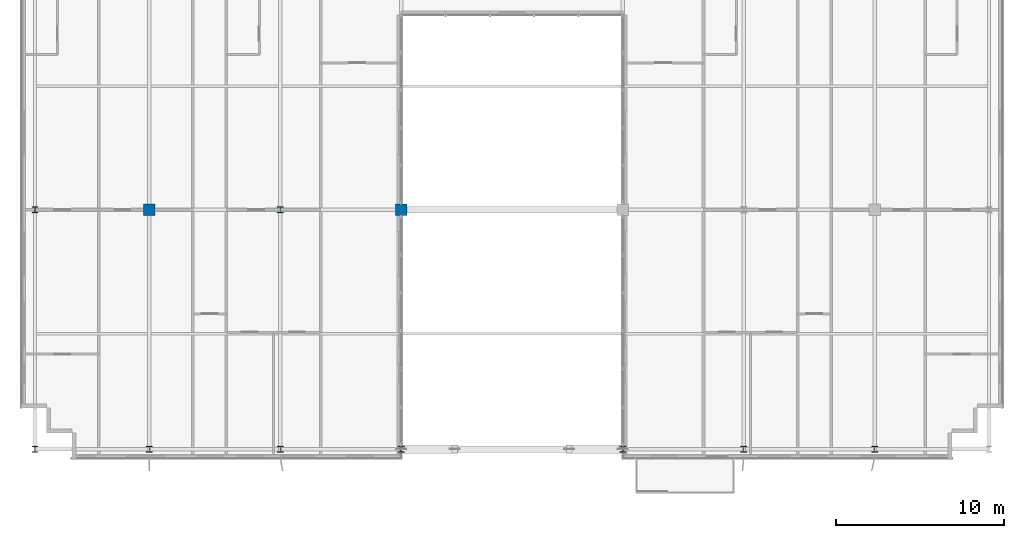
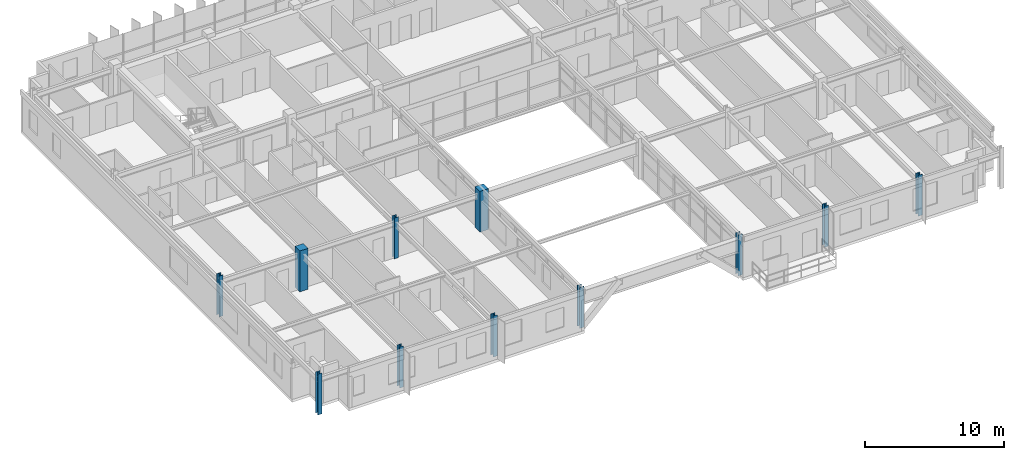
# One storey, part 1 of 37: 11 columns.
"""IFC4 building model written with IfcOpenShell, lengths in metres."""

import ifcopenshell
import ifcopenshell.guid

model = None  # the IFC model being written
_history = None  # IfcOwnerHistory: only IFC2X3 demands one
_inside = {}  # id of a spatial element -> (the spatial element, [elements in it])
_under = {}  # id of a project, library or spatial element -> (it, [spatial elements below it])
_declared = {}  # id of a project -> (the project, [libraries it declares])
_typed = {}  # id of a type object -> (the type object, [elements of that type])
_made_of = {}  # id of a material, layer set ... -> (it, [elements and type objects made of it])


def new_model(schema):
    """Start an empty IFC model of exactly this schema.

    Asked for "IFC4X3", IfcOpenShell would pick the latest addendum, in which some entities
    have other attributes; the version numbers below select the first issue.
    IFC2X3 requires an IfcOwnerHistory on every rooted entity: one is made here for all.
    """
    global model, _history
    if schema == "IFC4X3":
        model = ifcopenshell.file(schema_version=(4, 3, 0, 0))
    else:
        model = ifcopenshell.file(schema=schema)
    _inside.clear()
    _under.clear()
    _declared.clear()
    _typed.clear()
    _made_of.clear()
    _history = None
    if model.schema == "IFC2X3":
        org = make("IfcOrganization", Name="unknown")
        user = make(
            "IfcPersonAndOrganization",
            ThePerson=make("IfcPerson", FamilyName="unknown"),
            TheOrganization=org,
        )
        app = make(
            "IfcApplication",
            ApplicationDeveloper=org,
            Version="unknown",
            ApplicationFullName="unknown",
            ApplicationIdentifier="unknown",
        )
        _history = make(
            "IfcOwnerHistory",
            OwningUser=user,
            OwningApplication=app,
            ChangeAction="ADDED",
            CreationDate=0,
        )
    return model


def make(cls, **values):
    """One entity of the class cls with the attributes given. An attribute that is None is left unset."""
    return model.create_entity(
        cls, **{name: value for name, value in values.items() if value is not None}
    )


def rooted(cls, **values):
    """An entity with a GlobalId (a new one), such as an element, a storey or a relation."""
    return make(cls, GlobalId=ifcopenshell.guid.new(), OwnerHistory=_history, **values)


def si_unit(unit_type, name, prefix=None):
    """IfcSIUnit, for example si_unit("LENGTHUNIT", "METRE", prefix="MILLI")."""
    return make("IfcSIUnit", UnitType=unit_type, Prefix=prefix, Name=name)


def assignment(units):
    """IfcUnitAssignment: the units of a project."""
    return None if units is None else make("IfcUnitAssignment", Units=units)


def point(xyz):
    """IfcCartesianPoint."""
    return None if xyz is None else make("IfcCartesianPoint", Coordinates=xyz)


def direction(xyz):
    """IfcDirection."""
    return None if xyz is None else make("IfcDirection", DirectionRatios=xyz)


def frame(location, z_axis=None, x_axis=None):
    """IfcAxis2Placement3D, a coordinate frame: its origin and axes. An axis left out is left unset."""
    return make(
        "IfcAxis2Placement3D",
        Location=point(location),
        Axis=direction(z_axis),
        RefDirection=direction(x_axis),
    )


def frame_2d(location, x_axis=None):
    """IfcAxis2Placement2D, a coordinate frame in the plane: its origin and x axis."""
    return make(
        "IfcAxis2Placement2D", Location=point(location), RefDirection=direction(x_axis)
    )


def origin():
    """The frame at (0, 0, 0) with its axes left unset."""
    return frame((0.0, 0.0, 0.0))


def origin_2d():
    """The frame at (0, 0) in the plane with its x axis left unset."""
    return frame_2d((0.0, 0.0))


def place(relative_to, where):
    """IfcLocalPlacement: puts the frame where relative to a parent placement (None: the world)."""
    return make(
        "IfcLocalPlacement", PlacementRelTo=relative_to, RelativePlacement=where
    )


def context(
    kind, dimensions, precision=None, world=None, true_north=None, identifier=None
):
    """IfcGeometricRepresentationContext, for example the 3D "Model" context."""
    return make(
        "IfcGeometricRepresentationContext",
        ContextIdentifier=identifier,
        ContextType=kind,
        CoordinateSpaceDimension=dimensions,
        Precision=precision,
        WorldCoordinateSystem=world,
        TrueNorth=true_north,
    )


def subcontext(parent, identifier, kind, view, scale=None):
    """IfcGeometricRepresentationSubContext, for example "Body" below "Model"."""
    return make(
        "IfcGeometricRepresentationSubContext",
        ContextIdentifier=identifier,
        ContextType=kind,
        ParentContext=parent,
        TargetScale=scale,
        TargetView=view,
    )


def project(units=None, contexts=None):
    """IfcProject with its units and contexts."""
    return rooted(
        "IfcProject",
        Name="project",
        RepresentationContexts=contexts,
        UnitsInContext=assignment(units),
    )


def spatial(cls, under=None, at=None, **own):
    """A site, building, storey or space (cls), placed at a placement, below another one or the project."""
    s = rooted(cls, ObjectPlacement=at, **own)
    if under is not None:
        _under.setdefault(under.id(), (under, []))[1].append(s)
    return s


def profile(cls, at=None, kind="AREA", **sizes):
    """A parametric profile (cls). Its sizes go by their IFC names, for example OverallWidth=200.0."""
    return make(cls, ProfileType=kind, Position=at, **sizes)


def rectangle(**sizes):
    """IfcRectangleProfileDef."""
    return profile("IfcRectangleProfileDef", **sizes)


def i_section(**sizes):
    """IfcIShapeProfileDef."""
    return profile("IfcIShapeProfileDef", **sizes)


def extrude(swept, where, along, depth):
    """IfcExtrudedAreaSolid: the profile swept, set in the frame where, extruded along a direction by depth."""
    return make(
        "IfcExtrudedAreaSolid",
        SweptArea=swept,
        Position=where,
        ExtrudedDirection=direction(along),
        Depth=depth,
    )


def shape(context_of_items, identifier, shape_type, items):
    """IfcShapeRepresentation: the items that make up one representation, for example the "Body"."""
    return make(
        "IfcShapeRepresentation",
        ContextOfItems=context_of_items,
        RepresentationIdentifier=identifier,
        RepresentationType=shape_type,
        Items=items,
    )


def source(mapping_origin, context_of_items, identifier, shape_type, items):
    """IfcRepresentationMap: a shape defined once, which mapped items show again and again."""
    return make(
        "IfcRepresentationMap",
        MappingOrigin=mapping_origin,
        MappedRepresentation=shape(context_of_items, identifier, shape_type, items),
    )


def transform(
    local_origin,
    x_axis=None,
    y_axis=None,
    z_axis=None,
    scale=None,
    scale2=None,
    scale3=None,
    uniform=True,
):
    """IfcCartesianTransformationOperator3D, or its non-uniform kind. x_axis, y_axis, z_axis: its Axis1, 2, 3."""
    if uniform:
        return make(
            "IfcCartesianTransformationOperator3D",
            Axis1=direction(x_axis),
            Axis2=direction(y_axis),
            LocalOrigin=point(local_origin),
            Scale=scale,
            Axis3=direction(z_axis),
        )
    return make(
        "IfcCartesianTransformationOperator3DnonUniform",
        Axis1=direction(x_axis),
        Axis2=direction(y_axis),
        LocalOrigin=point(local_origin),
        Scale=scale,
        Axis3=direction(z_axis),
        Scale2=scale2,
        Scale3=scale3,
    )


def mapped(mapping_source, mapping_target):
    """IfcMappedItem: shows the shape of a source again, moved by a transform."""
    return make(
        "IfcMappedItem", MappingSource=mapping_source, MappingTarget=mapping_target
    )


def material(Name=None, Category=None):
    """IfcMaterial."""
    return make("IfcMaterial", Name=Name, Category=Category)


def material_profile(
    of_material, cross_section, Name=None, Category=None, Priority=None
):
    """IfcMaterialProfile: a cross section and its material."""
    return make(
        "IfcMaterialProfile",
        Name=Name,
        Material=of_material,
        Profile=cross_section,
        Priority=Priority,
        Category=Category,
    )


def profile_set(profiles, Name=None, composite=None):
    """IfcMaterialProfileSet."""
    return make(
        "IfcMaterialProfileSet",
        Name=Name,
        MaterialProfiles=profiles,
        CompositeProfile=composite,
    )


def made_of(thing, what):
    """Note that an element or type object is made of a material, layer set ...; save() writes the relation."""
    if what is not None:
        _made_of.setdefault(what.id(), (what, []))[1].append(thing)
    return thing


def type_object(cls, material=None, **own):
    """A type object (cls), such as IfcWallType, which elements share."""
    return made_of(rooted(cls, **own), material)


def element(
    cls,
    number,
    at=None,
    inside=None,
    cuts=None,
    type_object=None,
    material=None,
    context=None,
    identifier="Body",
    shape_type=None,
    held_by="IfcProductDefinitionShape",
    body=None,
    shapes=None,
    **own,
):
    """One element of the class cls, such as IfcWall. Its Tag is "e" and its number.

    at: its placement. inside: the storey or other place that contains it. cuts: it is an
    opening in that element (IfcRelVoidsElement). A single representation is given by context,
    identifier, shape_type and body (its items); several are given by shapes. held_by: the class
    of the entity that holds the representations. save() writes the other relations.
    """
    e = rooted(cls, Tag="e%d" % number, ObjectPlacement=at, **own)
    if body is not None:
        shapes = [shape(context, identifier, shape_type, body)]
    if shapes is not None:
        e.Representation = make(held_by, Representations=shapes)
    if inside is not None:
        _inside.setdefault(inside.id(), (inside, []))[1].append(e)
    if cuts is not None:
        rooted(
            "IfcRelVoidsElement", RelatingBuildingElement=cuts, RelatedOpeningElement=e
        )
    if type_object is not None:
        _typed.setdefault(type_object.id(), (type_object, []))[1].append(e)
    return made_of(e, material)


def aggregate(whole, parts):
    """IfcRelAggregates: a whole, such as a stair, and the parts it consists of."""
    return rooted("IfcRelAggregates", RelatingObject=whole, RelatedObjects=parts)


def save(model, path):
    """Write the relations noted so far, then the file.

    IfcRelAggregates (storeys below a building ...), IfcRelContainedInSpatialStructure (elements
    in a storey), IfcRelDefinesByType, IfcRelAssociatesMaterial and IfcRelDeclares: one each for
    every whole, place, type object, material and project.
    """
    for whole, parts in _under.values():
        aggregate(whole, parts)
    for where, things in _inside.values():
        rooted(
            "IfcRelContainedInSpatialStructure",
            RelatedElements=things,
            RelatingStructure=where,
        )
    for kind, things in _typed.values():
        rooted("IfcRelDefinesByType", RelatedObjects=things, RelatingType=kind)
    for what, things in _made_of.values():
        rooted("IfcRelAssociatesMaterial", RelatedObjects=things, RelatingMaterial=what)
    for by, libraries in _declared.values():
        rooted("IfcRelDeclares", RelatingContext=by, RelatedDefinitions=libraries)
    model.write(path)


model = new_model("IFC4")

# Units and contexts
model_context = context("Model", 3, precision=1e-05, world=origin(), true_north=direction((0.0, 1.0)))
body_context = subcontext(model_context, "Body", "Model", "MODEL_VIEW")
ifc_project = project(units=[si_unit("LENGTHUNIT", "METRE"), si_unit("AREAUNIT", "SQUARE_METRE"), si_unit("VOLUMEUNIT", "CUBIC_METRE"), si_unit("PLANEANGLEUNIT", "RADIAN"), si_unit("MASSUNIT", "GRAM", prefix="KILO")], contexts=[model_context])

# Site, building, storey
site_placement = place(None, origin())
site = spatial("IfcSite", under=ifc_project, at=site_placement, CompositionType="ELEMENT")
building_placement = place(site_placement, origin())
building = spatial("IfcBuilding", under=site, at=building_placement, Name="Trelvane Seafront Commons", CompositionType="ELEMENT")
storey_placement = place(building_placement, frame((0.0, 0.0, 201.300048828125)))
storey = spatial("IfcBuildingStorey", under=building, at=storey_placement, Name="L52", CompositionType="ELEMENT", Elevation=201.300048828125)

# Columns
ifc_material_1 = material(Name="Concrete C50/60", Category="concrete")
ifc_material_profile_1 = material_profile(ifc_material_1, rectangle(XDim=0.699951171875, YDim=0.699951171875, at=origin_2d()), Name="RC-700x700")
ifc_profile_set_1 = profile_set([ifc_material_profile_1], Name="Concrete C50/60")
column_type_1 = type_object("IfcColumnType", Name="STR-COL-RC700", PredefinedType="COLUMN", material=ifc_profile_set_1)
shared_shape_1 = source(origin(), body_context, "Body", "SweptSolid", [
    extrude(rectangle(XDim=0.699951171875, YDim=0.699951171875, at=origin_2d()), origin(), (0.0, 0.0, 1.0), 3.599853515625),
])
for number, where, z_axis, x_axis, name in (
    (1, (15.60009765625, 18.199951171875, 0.0), (0.0, 0.0, 1.0), (1.0, 0.0, 0.0), "L52 Column TC-M15.6"),
    (2, (30.60009765625, 18.199951171875, 0.0), (0.0, 0.0, 1.0), (1.0, 0.0, 0.0), "L52 Column TC-M30.6"),
):
    element("IfcColumn", number, at=place(storey_placement, frame(where, z_axis=z_axis, x_axis=x_axis)), inside=storey, type_object=column_type_1, Name=name, PredefinedType="COLUMN", context=body_context, shape_type="MappedRepresentation", body=[
        mapped(shared_shape_1, transform((0.0, 0.0, 0.0), x_axis=(1.0, 0.0, 0.0), y_axis=(0.0, 1.0, 0.0), z_axis=(0.0, 0.0, 1.0), scale=1.0)),
    ])
ifc_material_2 = material(Name="Steel SM355 (S355)", Category="steel")
ifc_material_profile_2 = material_profile(ifc_material_2, i_section(OverallWidth=0.35009765625, OverallDepth=0.35009765625, WebThickness=0.01806640625, FlangeThickness=0.028076171875, at=origin_2d()), Name="HD-350x350x18x28")
ifc_profile_set_2 = profile_set([ifc_material_profile_2], Name="Steel SM355 (S355)")
column_type_2 = type_object("IfcColumnType", Name="STR-COL-HD350", PredefinedType="COLUMN", material=ifc_profile_set_2)
shared_shape_2 = source(origin(), body_context, "Body", "SweptSolid", [
    extrude(i_section(OverallWidth=0.35009765625, OverallDepth=0.35009765625, WebThickness=0.01806640625, FlangeThickness=0.028076171875, at=origin_2d()), origin(), (0.0, 0.0, 1.0), 3.599853515625),
])
for number, where, z_axis, x_axis, name in (
    (3, (8.800048828125, 3.949951171875, 0.0), (0.0, 0.0, 1.0), (1.0, 0.0, 0.0), "L52 Column TC-S8.8"),
    (4, (8.800048828125, 18.199951171875, 0.0), (0.0, 0.0, 1.0), (1.0, 0.0, 0.0), "L52 Column TC-M8.8"),
    (5, (15.60009765625, 3.949951171875, 0.0), (0.0, 0.0, 1.0), (1.0, 0.0, 0.0), "L52 Column TC-S15.6"),
    (6, (23.39990234375, 3.949951171875, 0.0), (0.0, 0.0, 1.0), (1.0, 0.0, 0.0), "L52 Column TC-S23.4"),
    (7, (23.39990234375, 18.199951171875, 0.0), (0.0, 0.0, 1.0), (1.0, 0.0, 0.0), "L52 Column TC-M23.4"),
    (8, (30.60009765625, 3.949951171875, 0.0), (0.0, 0.0, 1.0), (1.0, 0.0, 0.0), "L52 Column TC-S30.6"),
    (9, (43.800048828125, 3.949951171875, 0.0), (0.0, 0.0, 1.0), (1.0, 0.0, 0.0), "L52 Column TC-S43.8"),
    (10, (51.0, 3.949951171875, 0.0), (0.0, 0.0, 1.0), (1.0, 0.0, 0.0), "L52 Column TC-S51.0"),
    (11, (58.800048828125, 3.949951171875, 0.0), (0.0, 0.0, 1.0), (1.0, 0.0, 0.0), "L52 Column TC-S58.8"),
):
    element("IfcColumn", number, at=place(storey_placement, frame(where, z_axis=z_axis, x_axis=x_axis)), inside=storey, type_object=column_type_2, Name=name, PredefinedType="COLUMN", context=body_context, shape_type="MappedRepresentation", body=[
        mapped(shared_shape_2, transform((0.0, 0.0, 0.0), x_axis=(1.0, 0.0, 0.0), y_axis=(0.0, 1.0, 0.0), z_axis=(0.0, 0.0, 1.0), scale=1.0)),
    ])

save(model, "model.ifc")
